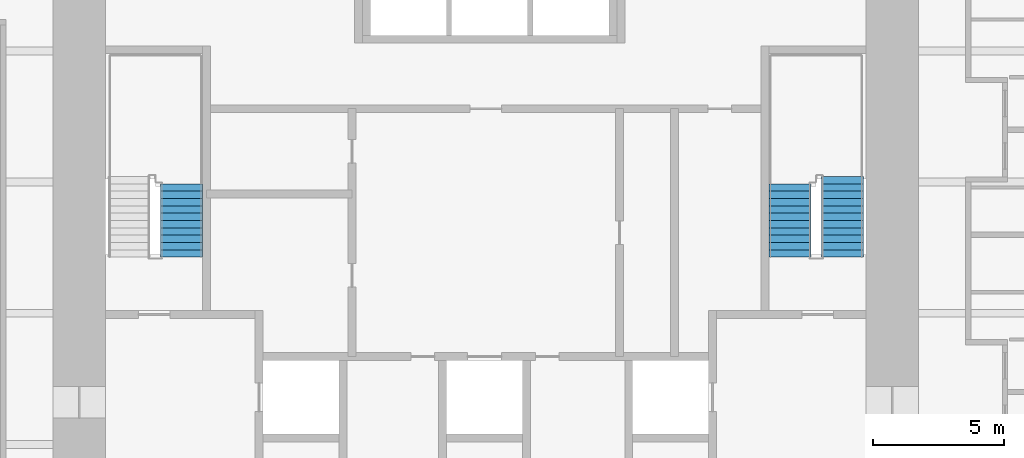
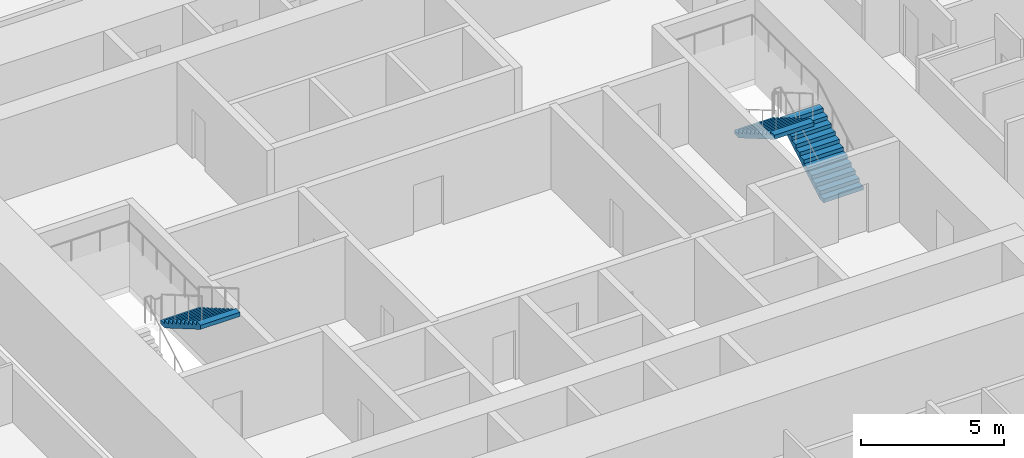
# One storey, part 16 of 17: 3 stair flights, 2 elements without a shape of their own.
"""IFC4 building model written with IfcOpenShell, lengths in metres."""

import ifcopenshell
import ifcopenshell.guid

model = None  # the IFC model being written
_history = None  # IfcOwnerHistory: only IFC2X3 demands one
_inside = {}  # id of a spatial element -> (the spatial element, [elements in it])
_under = {}  # id of a project, library or spatial element -> (it, [spatial elements below it])
_declared = {}  # id of a project -> (the project, [libraries it declares])
_typed = {}  # id of a type object -> (the type object, [elements of that type])
_made_of = {}  # id of a material, layer set ... -> (it, [elements and type objects made of it])


def new_model(schema):
    """Start an empty IFC model of exactly this schema.

    Asked for "IFC4X3", IfcOpenShell would pick the latest addendum, in which some entities
    have other attributes; the version numbers below select the first issue.
    IFC2X3 requires an IfcOwnerHistory on every rooted entity: one is made here for all.
    """
    global model, _history
    if schema == "IFC4X3":
        model = ifcopenshell.file(schema_version=(4, 3, 0, 0))
    else:
        model = ifcopenshell.file(schema=schema)
    _inside.clear()
    _under.clear()
    _declared.clear()
    _typed.clear()
    _made_of.clear()
    _history = None
    if model.schema == "IFC2X3":
        org = make("IfcOrganization", Name="unknown")
        user = make(
            "IfcPersonAndOrganization",
            ThePerson=make("IfcPerson", FamilyName="unknown"),
            TheOrganization=org,
        )
        app = make(
            "IfcApplication",
            ApplicationDeveloper=org,
            Version="unknown",
            ApplicationFullName="unknown",
            ApplicationIdentifier="unknown",
        )
        _history = make(
            "IfcOwnerHistory",
            OwningUser=user,
            OwningApplication=app,
            ChangeAction="ADDED",
            CreationDate=0,
        )
    return model


def make(cls, **values):
    """One entity of the class cls with the attributes given. An attribute that is None is left unset."""
    return model.create_entity(
        cls, **{name: value for name, value in values.items() if value is not None}
    )


def rooted(cls, **values):
    """An entity with a GlobalId (a new one), such as an element, a storey or a relation."""
    return make(cls, GlobalId=ifcopenshell.guid.new(), OwnerHistory=_history, **values)


def si_unit(unit_type, name, prefix=None):
    """IfcSIUnit, for example si_unit("LENGTHUNIT", "METRE", prefix="MILLI")."""
    return make("IfcSIUnit", UnitType=unit_type, Prefix=prefix, Name=name)


def assignment(units):
    """IfcUnitAssignment: the units of a project."""
    return None if units is None else make("IfcUnitAssignment", Units=units)


def point(xyz):
    """IfcCartesianPoint."""
    return None if xyz is None else make("IfcCartesianPoint", Coordinates=xyz)


def direction(xyz):
    """IfcDirection."""
    return None if xyz is None else make("IfcDirection", DirectionRatios=xyz)


def frame(location, z_axis=None, x_axis=None):
    """IfcAxis2Placement3D, a coordinate frame: its origin and axes. An axis left out is left unset."""
    return make(
        "IfcAxis2Placement3D",
        Location=point(location),
        Axis=direction(z_axis),
        RefDirection=direction(x_axis),
    )


def origin():
    """The frame at (0, 0, 0) with its axes left unset."""
    return frame((0.0, 0.0, 0.0))


def place(relative_to, where):
    """IfcLocalPlacement: puts the frame where relative to a parent placement (None: the world)."""
    return make(
        "IfcLocalPlacement", PlacementRelTo=relative_to, RelativePlacement=where
    )


def context(
    kind, dimensions, precision=None, world=None, true_north=None, identifier=None
):
    """IfcGeometricRepresentationContext, for example the 3D "Model" context."""
    return make(
        "IfcGeometricRepresentationContext",
        ContextIdentifier=identifier,
        ContextType=kind,
        CoordinateSpaceDimension=dimensions,
        Precision=precision,
        WorldCoordinateSystem=world,
        TrueNorth=true_north,
    )


def subcontext(parent, identifier, kind, view, scale=None):
    """IfcGeometricRepresentationSubContext, for example "Body" below "Model"."""
    return make(
        "IfcGeometricRepresentationSubContext",
        ContextIdentifier=identifier,
        ContextType=kind,
        ParentContext=parent,
        TargetScale=scale,
        TargetView=view,
    )


def project(units=None, contexts=None):
    """IfcProject with its units and contexts."""
    return rooted(
        "IfcProject",
        Name="project",
        RepresentationContexts=contexts,
        UnitsInContext=assignment(units),
    )


def spatial(cls, under=None, at=None, **own):
    """A site, building, storey or space (cls), placed at a placement, below another one or the project."""
    s = rooted(cls, ObjectPlacement=at, **own)
    if under is not None:
        _under.setdefault(under.id(), (under, []))[1].append(s)
    return s


def polyline(points):
    """IfcPolyline through the points."""
    return make("IfcPolyline", Points=[point(p) for p in points])


def outline(outer, holes=None, kind="AREA"):
    """IfcArbitraryClosedProfileDef: a profile drawn as a closed curve; with holes, ...WithVoids."""
    if holes is None:
        return make("IfcArbitraryClosedProfileDef", ProfileType=kind, OuterCurve=outer)
    return make(
        "IfcArbitraryProfileDefWithVoids",
        ProfileType=kind,
        OuterCurve=outer,
        InnerCurves=holes,
    )


def extrude(swept, where, along, depth):
    """IfcExtrudedAreaSolid: the profile swept, set in the frame where, extruded along a direction by depth."""
    return make(
        "IfcExtrudedAreaSolid",
        SweptArea=swept,
        Position=where,
        ExtrudedDirection=direction(along),
        Depth=depth,
    )


def shape(context_of_items, identifier, shape_type, items):
    """IfcShapeRepresentation: the items that make up one representation, for example the "Body"."""
    return make(
        "IfcShapeRepresentation",
        ContextOfItems=context_of_items,
        RepresentationIdentifier=identifier,
        RepresentationType=shape_type,
        Items=items,
    )


def material(Name=None, Category=None):
    """IfcMaterial."""
    return make("IfcMaterial", Name=Name, Category=Category)


def made_of(thing, what):
    """Note that an element or type object is made of a material, layer set ...; save() writes the relation."""
    if what is not None:
        _made_of.setdefault(what.id(), (what, []))[1].append(thing)
    return thing


def type_object(cls, material=None, **own):
    """A type object (cls), such as IfcWallType, which elements share."""
    return made_of(rooted(cls, **own), material)


def element(
    cls,
    number,
    at=None,
    inside=None,
    cuts=None,
    type_object=None,
    material=None,
    context=None,
    identifier="Body",
    shape_type=None,
    held_by="IfcProductDefinitionShape",
    body=None,
    shapes=None,
    **own,
):
    """One element of the class cls, such as IfcWall. Its Tag is "e" and its number.

    at: its placement. inside: the storey or other place that contains it. cuts: it is an
    opening in that element (IfcRelVoidsElement). A single representation is given by context,
    identifier, shape_type and body (its items); several are given by shapes. held_by: the class
    of the entity that holds the representations. save() writes the other relations.
    """
    e = rooted(cls, Tag="e%d" % number, ObjectPlacement=at, **own)
    if body is not None:
        shapes = [shape(context, identifier, shape_type, body)]
    if shapes is not None:
        e.Representation = make(held_by, Representations=shapes)
    if inside is not None:
        _inside.setdefault(inside.id(), (inside, []))[1].append(e)
    if cuts is not None:
        rooted(
            "IfcRelVoidsElement", RelatingBuildingElement=cuts, RelatedOpeningElement=e
        )
    if type_object is not None:
        _typed.setdefault(type_object.id(), (type_object, []))[1].append(e)
    return made_of(e, material)


def aggregate(whole, parts):
    """IfcRelAggregates: a whole, such as a stair, and the parts it consists of."""
    return rooted("IfcRelAggregates", RelatingObject=whole, RelatedObjects=parts)


def save(model, path):
    """Write the relations noted so far, then the file.

    IfcRelAggregates (storeys below a building ...), IfcRelContainedInSpatialStructure (elements
    in a storey), IfcRelDefinesByType, IfcRelAssociatesMaterial and IfcRelDeclares: one each for
    every whole, place, type object, material and project.
    """
    for whole, parts in _under.values():
        aggregate(whole, parts)
    for where, things in _inside.values():
        rooted(
            "IfcRelContainedInSpatialStructure",
            RelatedElements=things,
            RelatingStructure=where,
        )
    for kind, things in _typed.values():
        rooted("IfcRelDefinesByType", RelatedObjects=things, RelatingType=kind)
    for what, things in _made_of.values():
        rooted("IfcRelAssociatesMaterial", RelatedObjects=things, RelatingMaterial=what)
    for by, libraries in _declared.values():
        rooted("IfcRelDeclares", RelatingContext=by, RelatedDefinitions=libraries)
    model.write(path)


model = new_model("IFC4")

# Units and contexts
model_context = context("Model", 3, precision=1e-05, world=origin(), true_north=direction((0.0, 1.0)))
body_context = subcontext(model_context, "Body", "Model", "MODEL_VIEW")
ifc_project = project(units=[si_unit("LENGTHUNIT", "METRE"), si_unit("AREAUNIT", "SQUARE_METRE"), si_unit("VOLUMEUNIT", "CUBIC_METRE"), si_unit("PLANEANGLEUNIT", "RADIAN"), si_unit("MASSUNIT", "GRAM", prefix="KILO")], contexts=[model_context])

# Site, building, storey
site_placement = place(None, origin())
site = spatial("IfcSite", under=ifc_project, at=site_placement, CompositionType="ELEMENT")
building_placement = place(site_placement, origin())
building = spatial("IfcBuilding", under=site, at=building_placement, Name="Khuree Lantern Residences", CompositionType="ELEMENT")
storey_placement = place(building_placement, frame((0.0, 0.0, 58.5)))
storey = spatial("IfcBuildingStorey", under=building, at=storey_placement, Name="L14", CompositionType="ELEMENT", Elevation=58.5)

# Stair, stair flight
ifc_material = material(Name="Concrete C40/50", Category="concrete")
stair_type = type_object("IfcStairType", Name="STAIR ST1 HALF TURN 3600", PredefinedType="HALF_TURN_STAIR", material=ifc_material)
stair_1_placement = place(storey_placement, origin())
stair_1 = element("IfcStair", 1, at=stair_1_placement, inside=storey, type_object=stair_type, Name="Stair ST1", PredefinedType="HALF_TURN_STAIR")
stair_flight_type = type_object("IfcStairFlightType", Name="STAIR FLIGHT SF1 1600", PredefinedType="STRAIGHT", material=ifc_material)
stair_flight_1_placement = place(storey_placement, frame((-11.60009765625, -0.06005859375, 1.95654296875), z_axis=(0.0, 0.0, 1.0), x_axis=(0.0, -1.0, 0.0)))
stair_flight_1 = element("IfcStairFlight", 2, at=stair_flight_1_placement, type_object=stair_flight_type, Name="ST1 flight 2", NumberOfRisers=11, NumberOfTreads=10, PredefinedType="STRAIGHT", RiserHeight=0.163043478, TreadLength=0.28, context=body_context, shape_type="SweptSolid", body=[
    extrude(outline(polyline([(0.0, 0.0), (0.0, 0.1630859375), (0.280029296875, 0.1630859375), (0.280029296875, 0.326171875), (0.56005859375, 0.326171875), (0.56005859375, 0.489013671875), (0.840087890625, 0.489013671875), (0.840087890625, 0.652099609375), (1.1201171875, 0.652099609375), (1.1201171875, 0.815185546875), (1.39990234375, 0.815185546875), (1.39990234375, 0.978271484375), (1.679931640625, 0.978271484375), (1.679931640625, 1.141357421875), (1.9599609375, 1.141357421875), (1.9599609375, 1.304443359375), (2.239990234375, 1.304443359375), (2.239990234375, 1.46728515625), (2.52001953125, 1.46728515625), (2.52001953125, 1.63037109375), (2.800048828125, 1.63037109375), (2.800048828125, 1.79345703125), (2.800048828125, 1.45703125), (0.2978515625, 0.0), (0.0, 0.0)])), frame((0.0, 0.800048828125, 0.0), z_axis=(0.0, -1.0, 0.0), x_axis=(1.0, 0.0, 0.0)), (0.0, 0.0, 1.0), 1.60009765625),
])
aggregate(stair_1, [stair_flight_1])

# Stair, stair flights
stair_2_placement = place(storey_placement, origin())
stair_2 = element("IfcStair", 3, at=stair_2_placement, inside=storey, type_object=stair_type, Name="Stair ST2", PredefinedType="HALF_TURN_STAIR")
stair_flight_2_placement = place(storey_placement, frame((13.60009765625, -2.860107421875, 0.0), z_axis=(0.0, 0.0, 1.0), x_axis=(0.0, 1.0, 0.0)))
stair_flight_2 = element("IfcStairFlight", 4, at=stair_flight_2_placement, type_object=stair_flight_type, Name="ST2 flight 1", NumberOfRisers=12, NumberOfTreads=11, PredefinedType="STRAIGHT", RiserHeight=0.163043478, TreadLength=0.28, context=body_context, shape_type="SweptSolid", body=[
    extrude(outline(polyline([(0.0, 0.0), (0.0, 0.1630859375), (0.280029296875, 0.1630859375), (0.280029296875, 0.326171875), (0.56005859375, 0.326171875), (0.56005859375, 0.489013671875), (0.840087890625, 0.489013671875), (0.840087890625, 0.652099609375), (1.1201171875, 0.652099609375), (1.1201171875, 0.815185546875), (1.39990234375, 0.815185546875), (1.39990234375, 0.978271484375), (1.679931640625, 0.978271484375), (1.679931640625, 1.141357421875), (1.9599609375, 1.141357421875), (1.9599609375, 1.304443359375), (2.239990234375, 1.304443359375), (2.239990234375, 1.46728515625), (2.52001953125, 1.46728515625), (2.52001953125, 1.63037109375), (2.800048828125, 1.63037109375), (2.800048828125, 1.79345703125), (3.080078125, 1.79345703125), (3.080078125, 1.95654296875), (3.080078125, 1.6201171875), (0.2978515625, 0.0), (0.0, 0.0)])), frame((0.0, 0.800048828125, 0.0), z_axis=(0.0, -1.0, 0.0), x_axis=(1.0, 0.0, 0.0)), (0.0, 0.0, 1.0), 1.60009765625),
])
stair_flight_3_placement = place(storey_placement, frame((11.60009765625, -0.06005859375, 1.95654296875), z_axis=(0.0, 0.0, 1.0), x_axis=(0.0, -1.0, 0.0)))
stair_flight_3 = element("IfcStairFlight", 5, at=stair_flight_3_placement, type_object=stair_flight_type, Name="ST2 flight 2", NumberOfRisers=11, NumberOfTreads=10, PredefinedType="STRAIGHT", RiserHeight=0.163043478, TreadLength=0.28, context=body_context, shape_type="SweptSolid", body=[
    extrude(outline(polyline([(0.0, 0.0), (0.0, 0.1630859375), (0.280029296875, 0.1630859375), (0.280029296875, 0.326171875), (0.56005859375, 0.326171875), (0.56005859375, 0.489013671875), (0.840087890625, 0.489013671875), (0.840087890625, 0.652099609375), (1.1201171875, 0.652099609375), (1.1201171875, 0.815185546875), (1.39990234375, 0.815185546875), (1.39990234375, 0.978271484375), (1.679931640625, 0.978271484375), (1.679931640625, 1.141357421875), (1.9599609375, 1.141357421875), (1.9599609375, 1.304443359375), (2.239990234375, 1.304443359375), (2.239990234375, 1.46728515625), (2.52001953125, 1.46728515625), (2.52001953125, 1.63037109375), (2.800048828125, 1.63037109375), (2.800048828125, 1.79345703125), (2.800048828125, 1.45703125), (0.2978515625, 0.0), (0.0, 0.0)])), frame((0.0, 0.800048828125, 0.0), z_axis=(0.0, -1.0, 0.0), x_axis=(1.0, 0.0, 0.0)), (0.0, 0.0, 1.0), 1.60009765625),
])
aggregate(stair_2, [stair_flight_2, stair_flight_3])

save(model, "model.ifc")
